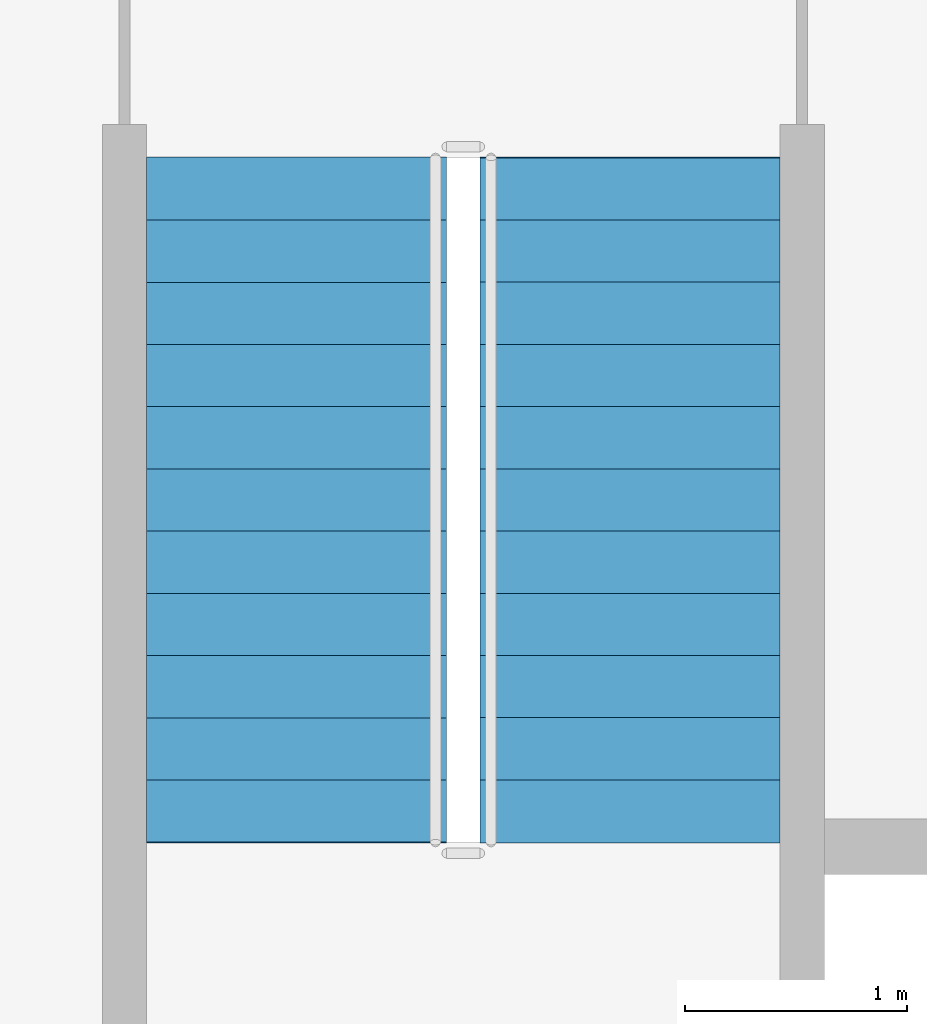
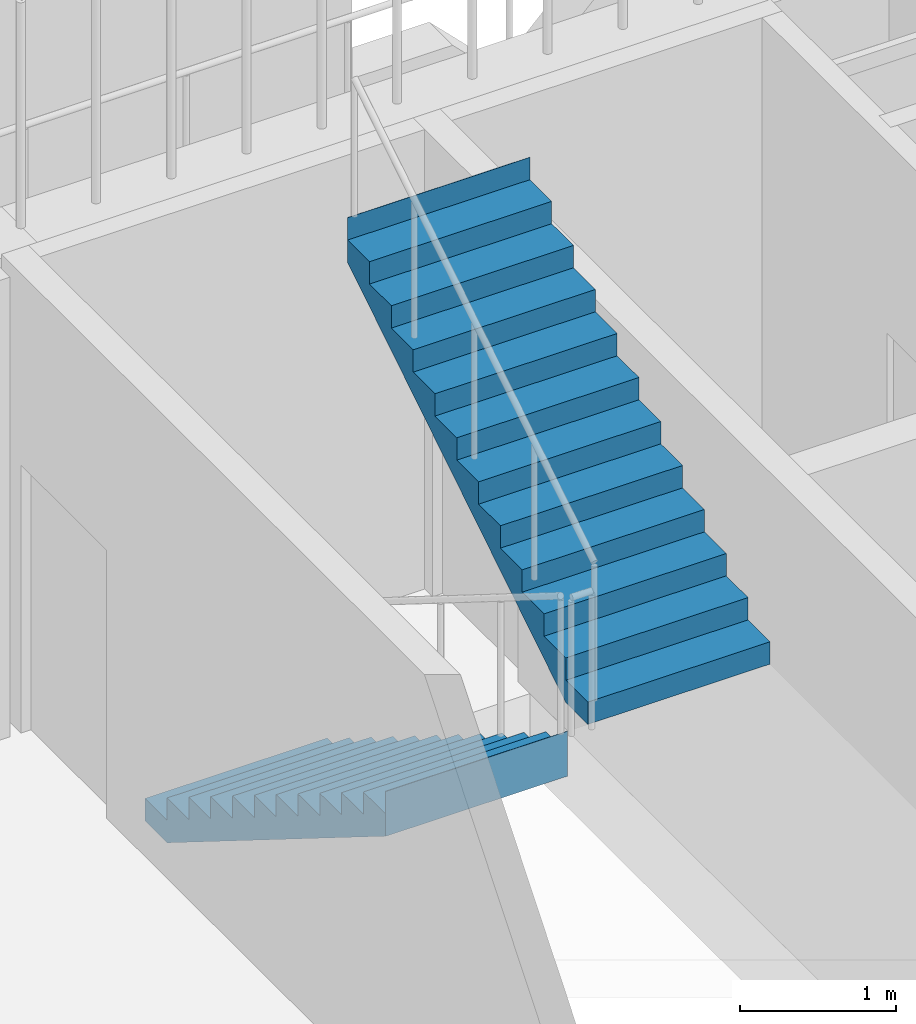
# One storey, part 15 of 23: 2 stair flights, 1 element without a shape of its own.
"""IFC4 building model written with IfcOpenShell, lengths in metres."""

from ifc_helpers import new_model, si_unit, direction, frame, origin, place, context, subcontext, project, spatial, polyline, outline, extrude, material, type_object, element, aggregate, save


model = new_model("IFC4")

# Units and contexts
model_context = context("Model", 3, precision=1e-05, world=origin(), true_north=direction((0.0, 1.0)))
body_context = subcontext(model_context, "Body", "Model", "MODEL_VIEW")
ifc_project = project(units=[si_unit("LENGTHUNIT", "METRE"), si_unit("AREAUNIT", "SQUARE_METRE"), si_unit("VOLUMEUNIT", "CUBIC_METRE"), si_unit("PLANEANGLEUNIT", "RADIAN"), si_unit("MASSUNIT", "GRAM", prefix="KILO")], contexts=[model_context])

# Site, building, storey
site_placement = place(None, origin())
site = spatial("IfcSite", under=ifc_project, at=site_placement, CompositionType="ELEMENT")
building_placement = place(site_placement, origin())
building = spatial("IfcBuilding", under=site, at=building_placement, Name="Kawkab Arch Medical Tower", CompositionType="ELEMENT")
storey_placement = place(building_placement, frame((0.0, 0.0, 158.39990234375)))
storey = spatial("IfcBuildingStorey", under=building, at=storey_placement, Name="L36", CompositionType="ELEMENT", Elevation=158.39990234375)

# Stair, stair flights
ifc_material_1 = material(Name="Concrete C40/50", Category="concrete")
stair_type = type_object("IfcStairType", Name="Exit stair 1350", PredefinedType="HALF_TURN_STAIR", material=ifc_material_1)
stair_placement = place(storey_placement, origin())
stair = element("IfcStair", 1, at=stair_placement, inside=storey, type_object=stair_type, Name="L36 Exit stair ST5", PredefinedType="HALF_TURN_STAIR")
ifc_material_2 = material(Name="Concrete C40/50", Category="concrete")
stair_flight_type = type_object("IfcStairFlightType", Name="Exit stair flight 1350", PredefinedType="STRAIGHT", material=ifc_material_2)
stair_flight_1_placement = place(storey_placement, frame((43.77490234375, -1.800048828125, 0.0), z_axis=(0.0, 0.0, 1.0), x_axis=(0.0, -1.0, 0.0)))
stair_flight_1 = element("IfcStairFlight", 2, at=stair_flight_1_placement, type_object=stair_flight_type, Name="ST5 flight 1", NumberOfRisers=12, NumberOfTreads=11, PredefinedType="STRAIGHT", RiserHeight=0.175, TreadLength=0.28, context=body_context, shape_type="SweptSolid", body=[
    extrude(outline(polyline([(-0.0029296875, 0.0), (-0.0029296875, 0.175048828125), (0.0, 0.175048828125), (0.280029296875, 0.175048828125), (0.280029296875, 0.35009765625), (0.56005859375, 0.35009765625), (0.56005859375, 0.52490234375), (0.840087890625, 0.52490234375), (0.840087890625, 0.699951171875), (1.1201171875, 0.699951171875), (1.1201171875, 0.875), (1.39990234375, 0.875), (1.39990234375, 1.050048828125), (1.679931640625, 1.050048828125), (1.679931640625, 1.22509765625), (1.9599609375, 1.22509765625), (1.9599609375, 1.39990234375), (2.239990234375, 1.39990234375), (2.239990234375, 1.574951171875), (2.52001953125, 1.574951171875), (2.52001953125, 1.75), (2.800048828125, 1.75), (2.800048828125, 1.925048828125), (3.080078125, 1.925048828125), (3.080078125, 2.10009765625), (3.0830078125, 2.10009765625), (3.0830078125, 1.748291015625), (3.080078125, 1.748291015625), (0.28271484375, 0.0), (-0.0029296875, 0.0)])), frame((0.0, 0.675048828125, 0.0), z_axis=(0.0, -1.0, 0.0), x_axis=(1.0, 0.0, 0.0)), (0.0, 0.0, 1.0), 1.35009765625),
])
stair_flight_2_placement = place(storey_placement, frame((45.27490234375, -4.8798828125, 2.10009765625), z_axis=(0.0, 0.0, 1.0), x_axis=(0.0, 1.0, 0.0)))
stair_flight_2 = element("IfcStairFlight", 3, at=stair_flight_2_placement, type_object=stair_flight_type, Name="ST5 flight 2", NumberOfRisers=12, NumberOfTreads=11, PredefinedType="STRAIGHT", RiserHeight=0.175, TreadLength=0.28, context=body_context, shape_type="SweptSolid", body=[
    extrude(outline(polyline([(-0.0029296875, 0.0), (-0.0029296875, 0.175048828125), (0.0, 0.175048828125), (0.280029296875, 0.175048828125), (0.280029296875, 0.35009765625), (0.56005859375, 0.35009765625), (0.56005859375, 0.52490234375), (0.840087890625, 0.52490234375), (0.840087890625, 0.699951171875), (1.1201171875, 0.699951171875), (1.1201171875, 0.875), (1.39990234375, 0.875), (1.39990234375, 1.050048828125), (1.679931640625, 1.050048828125), (1.679931640625, 1.22509765625), (1.9599609375, 1.22509765625), (1.9599609375, 1.39990234375), (2.239990234375, 1.39990234375), (2.239990234375, 1.574951171875), (2.52001953125, 1.574951171875), (2.52001953125, 1.75), (2.800048828125, 1.75), (2.800048828125, 1.925048828125), (3.080078125, 1.925048828125), (3.080078125, 2.10009765625), (3.0830078125, 2.10009765625), (3.0830078125, 1.748291015625), (3.080078125, 1.748291015625), (0.28271484375, 0.0), (-0.0029296875, 0.0)])), frame((0.0, 0.675048828125, 0.0), z_axis=(0.0, -1.0, 0.0), x_axis=(1.0, 0.0, 0.0)), (0.0, 0.0, 1.0), 1.35009765625),
])
aggregate(stair, [stair_flight_1, stair_flight_2])

save(model, "model.ifc")
